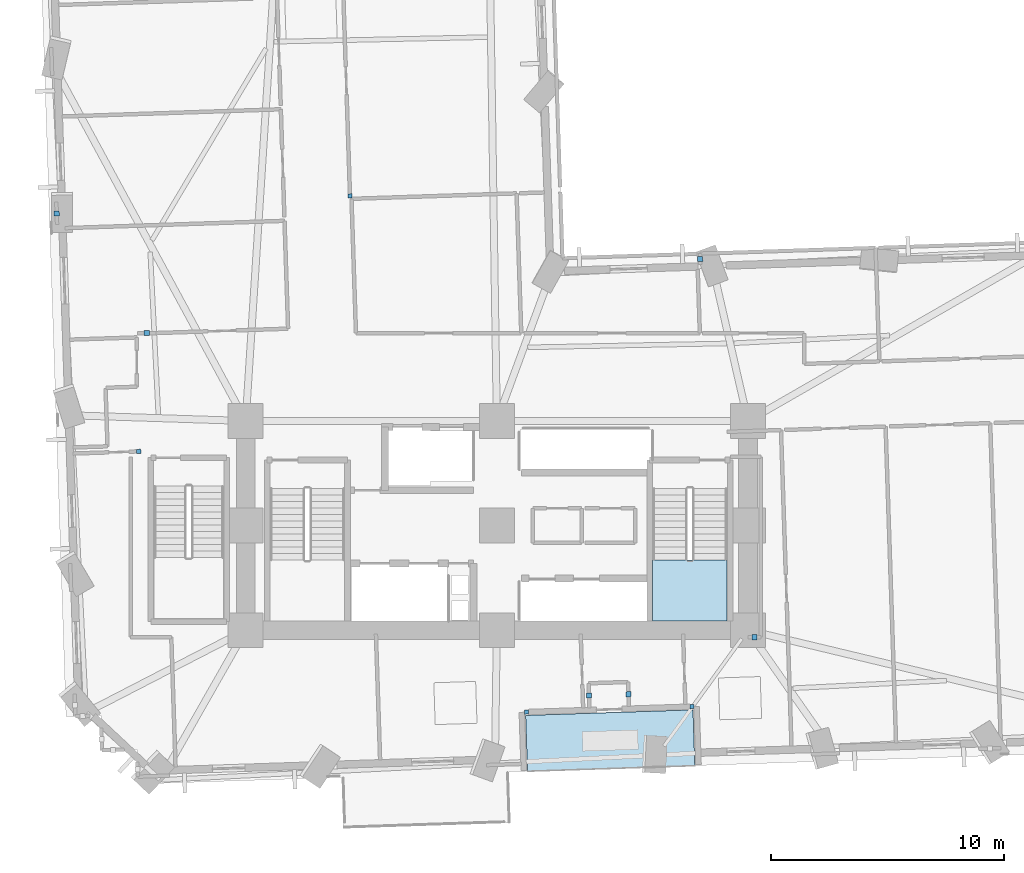
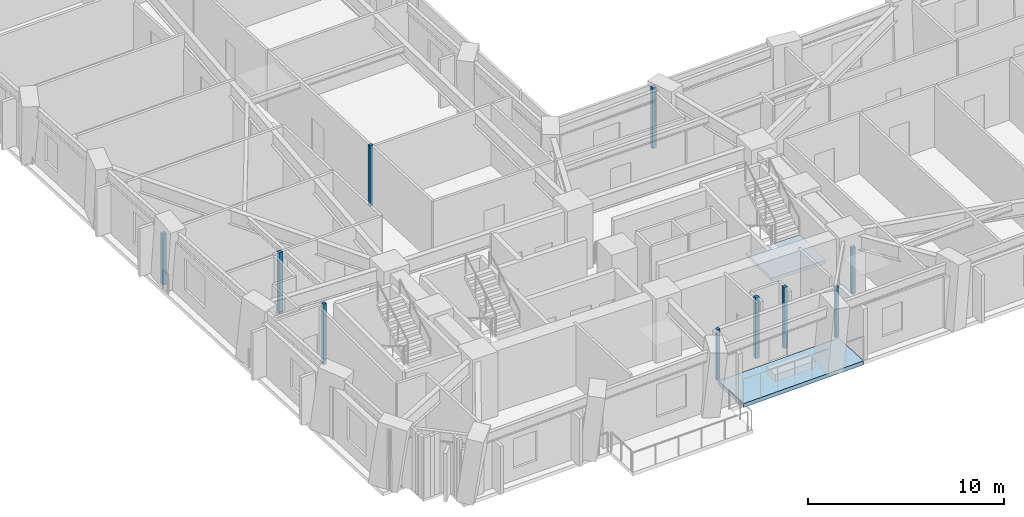
# One storey, part 3 of 14: 10 plates, 2 slabs, 1 element without a shape of its own.
"""IFC4 building model written with IfcOpenShell, lengths in metres."""

from ifc_helpers import new_model, si_unit, direction, frame, origin, origin_2d, place, context, subcontext, project, spatial, polyline, rectangle, outline, extrude, material, layer, layer_set, type_object, element, aggregate, save


model = new_model("IFC4")

# Units and contexts
model_context = context("Model", 3, precision=1e-05, world=origin(), true_north=direction((0.0, 1.0)))
body_context = subcontext(model_context, "Body", "Model", "MODEL_VIEW")
ifc_project = project(units=[si_unit("LENGTHUNIT", "METRE"), si_unit("AREAUNIT", "SQUARE_METRE"), si_unit("VOLUMEUNIT", "CUBIC_METRE"), si_unit("PLANEANGLEUNIT", "RADIAN"), si_unit("MASSUNIT", "GRAM", prefix="KILO")], contexts=[model_context])

# Site, building, storey
site_placement = place(None, origin())
site = spatial("IfcSite", under=ifc_project, at=site_placement, CompositionType="ELEMENT")
building_placement = place(site_placement, origin())
building = spatial("IfcBuilding", under=site, at=building_placement, Name="Gaonmaruhae Medical Tower", CompositionType="ELEMENT")
storey_placement = place(building_placement, frame((0.0, 0.0, 31.0)))
storey = spatial("IfcBuildingStorey", under=building, at=storey_placement, Name="L06", CompositionType="ELEMENT", Elevation=31.0)

# Plates
ifc_material_1 = material(Name="Anodised aluminium 6063-T6", Category="aluminium")
ifc_layer_1 = layer(ifc_material_1, 0.011962890625)
ifc_layer_set_1 = layer_set([ifc_layer_1], Name="Anodised aluminium 6063-T6")
plate_type = type_object("IfcPlateType", Name="PP-01 Interior Partition Corner Stiffener Plate", PredefinedType="SHEET", material=ifc_layer_set_1)
for number, where, z_axis, x_axis, name in (
    (1, (33.1904296875, 4.515380859375, 0.0), (0.0, 0.0, 1.0), (-0.999450794457, -0.033137734686, 0.0), "L06 Partition End Jamb Post Plate PLT-L06-ENDP-TERB-0"),
    (2, (26.07421875, 4.279296875, 0.0), (0.0, 0.0, 1.0), (-0.999450794457, -0.033137734686, 0.0), "L06 Partition End Jamb Post Plate PLT-L06-ENDP-TERB-1"),
):
    element("IfcPlate", number, at=place(storey_placement, frame(where, z_axis=z_axis, x_axis=x_axis)), inside=storey, type_object=plate_type, Name=name, PredefinedType="SHEET", context=body_context, shape_type="SweptSolid", body=[
        extrude(rectangle(XDim=0.179931640625, YDim=0.179931640625, at=origin_2d()), origin(), (0.0, 0.0, 1.0), 3.1650390625),
    ])
for number, where, z_axis, x_axis, name in (
    (3, (9.39990234375, 15.49267578125, 0.0), (0.0, 0.0, 1.0), (0.999447898838, 0.033224953096, 0.0), "L06 Partition End Jamb Post Plate PLT-L06-ENDP-PW008-1"),
    (4, (18.485595703125, 26.47998046875, 0.0), (0.0, 0.0, 1.0), (-0.033137734686, 0.999450794457, 0.0), "L06 Partition End Jamb Post Plate PLT-L06-ENDP-PW102-0"),
):
    element("IfcPlate", number, at=place(storey_placement, frame(where, z_axis=z_axis, x_axis=x_axis)), inside=storey, type_object=plate_type, Name=name, PredefinedType="SHEET", context=body_context, shape_type="SweptSolid", body=[
        extrude(rectangle(XDim=0.179931640625, YDim=0.179931640625, at=origin_2d()), origin(), (0.0, 0.0, 1.0), 3.780029296875),
    ])
for number, where, z_axis, x_axis, name in (
    (5, (30.4609375, 5.047607421875, 0.0), (0.0, 0.0, 1.0), (-0.032213204166, 0.999481020069, 0.0), "L06 Partition Corner Stiffener Plate PLT-L06-JGP-PW026"),
    (6, (28.761962890625, 4.990966796875, 0.0), (0.0, 0.0, 1.0), (0.032248092615, -0.999479895007, 0.0), "L06 Partition Corner Stiffener Plate PLT-L06-JGP-PW028"),
):
    element("IfcPlate", number, at=place(storey_placement, frame(where, z_axis=z_axis, x_axis=x_axis)), inside=storey, type_object=plate_type, Name=name, PredefinedType="SHEET", context=body_context, shape_type="SweptSolid", body=[
        extrude(rectangle(XDim=0.219970703125, YDim=0.219970703125, at=origin_2d()), origin(), (0.0, 0.0, 1.0), 3.780029296875),
    ])
plate_1_placement = place(storey_placement, frame((35.875, 7.5, 0.0), z_axis=(0.0, 0.0, 1.0), x_axis=(1.0, 0.0, 0.0)))
element("IfcPlate", 7, at=plate_1_placement, inside=storey, type_object=plate_type, Name="L06 Partition Corner Stiffener Plate PLT-L06-JGP-PW029", PredefinedType="SHEET", context=body_context, shape_type="SweptSolid", body=[
    extrude(rectangle(XDim=0.219970703125, YDim=0.219970703125, at=origin_2d()), origin(), (0.0, 0.0, 1.0), 2.864990234375),
])
plate_2_placement = place(storey_placement, frame((9.74560546875, 20.580078125, 0.0), z_axis=(0.0, 0.0, 1.0), x_axis=(-1.0, 0.0, 0.0)))
element("IfcPlate", 8, at=plate_2_placement, inside=storey, type_object=plate_type, Name="L06 Partition Corner Stiffener Plate PLT-L06-JGP-PW057", PredefinedType="SHEET", context=body_context, shape_type="SweptSolid", body=[
    extrude(rectangle(XDim=0.219970703125, YDim=0.219970703125, at=origin_2d()), origin(), (0.0, 0.0, 1.0), 3.780029296875),
])
plate_3_placement = place(storey_placement, frame((5.8740234375, 25.7265625, 0.0), z_axis=(0.0, 0.0, 1.0), x_axis=(-0.032998184707, 0.999455411615, 0.0)))
element("IfcPlate", 9, at=plate_3_placement, inside=storey, type_object=plate_type, Name="L06 Partition Corner Stiffener Plate PLT-L06-JGP-PW060", PredefinedType="SHEET", context=body_context, shape_type="SweptSolid", body=[
    extrude(rectangle(XDim=0.219970703125, YDim=0.219970703125, at=origin_2d()), origin(), (0.0, 0.0, 1.0), 3.1650390625),
])
plate_4_placement = place(storey_placement, frame((33.54345703125, 23.763916015625, 0.0), z_axis=(0.0, 0.0, 1.0), x_axis=(-0.032178315677, 0.999482143913, 0.0)))
element("IfcPlate", 10, at=plate_4_placement, inside=storey, type_object=plate_type, Name="L06 Partition Corner Stiffener Plate PLT-L06-JGP-PW085", PredefinedType="SHEET", context=body_context, shape_type="SweptSolid", body=[
    extrude(rectangle(XDim=0.219970703125, YDim=0.219970703125, at=origin_2d()), origin(), (0.0, 0.0, 1.0), 3.780029296875),
])

# Stair, slab
ifc_material_2 = material(Name="Concrete C40/50", Category="concrete")
stair_type = type_object("IfcStairType", Name="ST-T1 Primary Core Escape Dogleg Stair", PredefinedType="TWO_QUARTER_TURN_STAIR", material=ifc_material_2)
stair_placement = place(storey_placement, origin())
stair = element("IfcStair", 11, at=stair_placement, inside=storey, type_object=stair_type, Name="L06 Protected Escape Stair ST-02", PredefinedType="TWO_QUARTER_TURN_STAIR")
ifc_layer_2 = layer(ifc_material_2, 0.199951171875)
ifc_layer_set_2 = layer_set([ifc_layer_2], Name="Concrete C40/50")
slab_type_1 = type_object("IfcSlabType", Name="SL-200 Stair & Ramp Intermediate Concrete Landing", PredefinedType="LANDING", material=ifc_layer_set_2)
slab_1_placement = place(storey_placement, frame((0.0, 0.0, 1.800048828125)))
slab_1 = element("IfcSlab", 12, at=slab_1_placement, type_object=slab_type_1, Name="ST-02 landing 1", PredefinedType="LANDING", context=body_context, shape_type="SweptSolid", body=[
    extrude(outline(polyline([(31.5, 10.820068359375), (31.5, 8.2041015625), (34.699951171875, 8.2041015625), (34.699951171875, 10.820068359375), (31.5, 10.820068359375)])), origin(), (0.0, 0.0, 1.0), 0.199951171875),
])
aggregate(stair, [slab_1])

# Slab
ifc_layer_3 = layer(ifc_material_2, 0.239990234375)
ifc_layer_set_3 = layer_set([ifc_layer_3], Name="Concrete C40/50")
slab_type_2 = type_object("IfcSlabType", Name="TS-240 Sky Garden & Recovery Terrace Slab", PredefinedType="FLOOR", material=ifc_layer_set_3)
slab_2_placement = place(storey_placement, frame((0.0, 0.0, -0.239990234375)))
element("IfcSlab", 13, at=slab_2_placement, inside=storey, type_object=slab_type_2, Name="L06 Outdoor Recovery Terrace Slab", PredefinedType="FLOOR", context=body_context, shape_type="SweptSolid", body=[
    extrude(outline(polyline([(26.118408203125, 1.7392578125), (33.314453125, 1.97802734375), (33.23486328125, 4.376708984375), (26.038818359375, 4.137939453125), (26.118408203125, 1.7392578125)])), origin(), (0.0, 0.0, 1.0), 0.239990234375),
])

save(model, "model.ifc")
